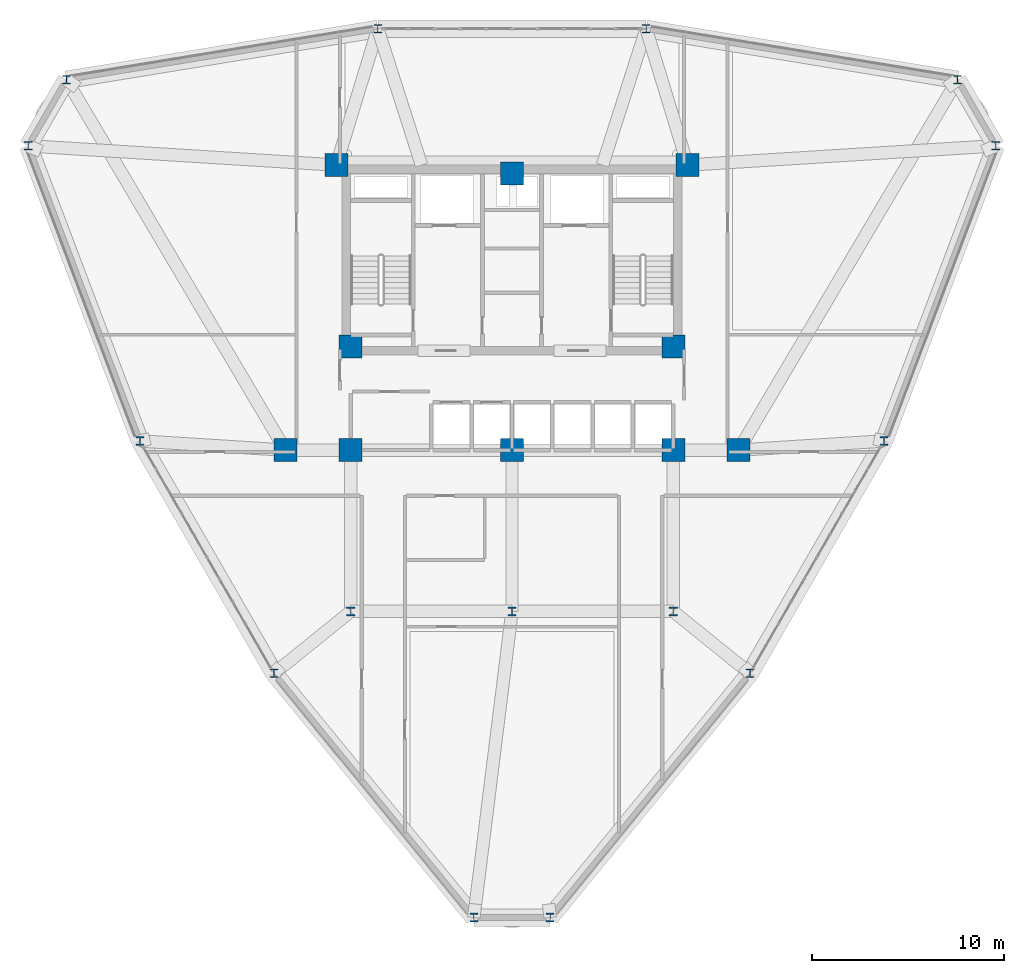
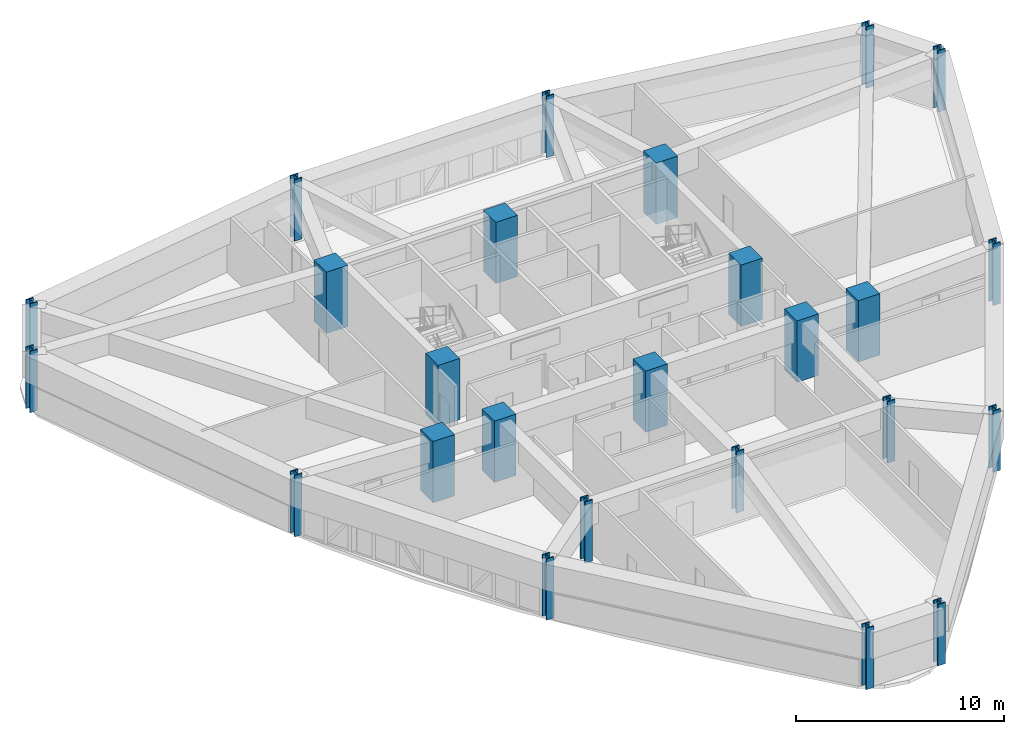
# One storey, part 1 of 15: 25 columns.
"""IFC4 building model written with IfcOpenShell, lengths in metres."""

from ifc_helpers import new_model, si_unit, derived_unit, direction, frame, origin, origin_2d, place, context, subcontext, project, spatial, rectangle, i_section, extrude, source, transform, mapped, material, material_profile, profile_set, type_object, element, save


model = new_model("IFC4")

# Units and contexts
model_context = context("Model", 3, precision=1e-05, world=origin(), true_north=direction((0.0, 1.0)))
body_context = subcontext(model_context, "Body", "Model", "MODEL_VIEW")
ifc_project = project(units=[si_unit("LENGTHUNIT", "METRE"), si_unit("AREAUNIT", "SQUARE_METRE"), si_unit("VOLUMEUNIT", "CUBIC_METRE"), si_unit("PLANEANGLEUNIT", "RADIAN"), si_unit("MASSUNIT", "GRAM", prefix="KILO"), derived_unit("THERMALTRANSMITTANCEUNIT", [(si_unit("POWERUNIT", "WATT"), 1), (si_unit("LENGTHUNIT", "METRE"), -2), (si_unit("THERMODYNAMICTEMPERATUREUNIT", "KELVIN"), -1)])], contexts=[model_context])

# Site, building, storey
site_placement = place(None, origin())
site = spatial("IfcSite", under=ifc_project, at=site_placement, CompositionType="ELEMENT")
building_placement = place(site_placement, origin())
building = spatial("IfcBuilding", under=site, at=building_placement, Name="Korsvarv Bourse and Concert Hall", CompositionType="ELEMENT")
storey_placement = place(building_placement, frame((0.0, 0.0, 117.0)))
storey = spatial("IfcBuildingStorey", under=building, at=storey_placement, Name="L29", CompositionType="ELEMENT", Elevation=117.0)

# Columns
ifc_material_1 = material(Name="Concrete C60/75", Category="concrete")
ifc_material_profile_1 = material_profile(ifc_material_1, rectangle(XDim=1.199951171875, YDim=1.199951171875, at=origin_2d()), Name="RC 1200x1200")
ifc_profile_set_1 = profile_set([ifc_material_profile_1], Name="Concrete C60/75")
column_type_1 = type_object("IfcColumnType", Name="COL-RC1200", PredefinedType="COLUMN", material=ifc_profile_set_1)
shared_shape_1 = source(origin(), body_context, "Body", "SweptSolid", [
    extrude(rectangle(XDim=1.199951171875, YDim=1.199951171875, at=origin_2d()), origin(), (0.0, 0.0, 1.0), 3.60009765625),
])
for number, where, z_axis, x_axis, name in (
    (1, (26.85009765625, 47.25, 0.0), (0.0, 0.0, 1.0), (1.0, 0.0, 0.0), "L29 column C-02"),
    (2, (45.14990234375, 47.25, 0.0), (0.0, 0.0, 1.0), (1.0, 0.0, 0.0), "L29 column C-02"),
    (3, (27.60009765625, 37.800048828125, 0.0), (0.0, 0.0, 1.0), (1.0, 0.0, 0.0), "L29 column C-02"),
    (4, (44.39990234375, 37.800048828125, 0.0), (0.0, 0.0, 1.0), (1.0, 0.0, 0.0), "L29 column C-02"),
    (5, (27.60009765625, 32.39990234375, 0.0), (0.0, 0.0, 1.0), (1.0, 0.0, 0.0), "L29 column C-02"),
    (6, (44.39990234375, 32.39990234375, 0.0), (0.0, 0.0, 1.0), (1.0, 0.0, 0.0), "L29 column C-02"),
    (7, (36.0, 46.800048828125, 0.0), (0.0, 0.0, 1.0), (1.0, 0.0, 0.0), "L29 column C-02"),
    (8, (36.0, 32.39990234375, 0.0), (0.0, 0.0, 1.0), (1.0, 0.0, 0.0), "L29 column C-02"),
    (9, (24.199951171875, 32.39990234375, 0.0), (0.0, 0.0, 1.0), (1.0, 0.0, 0.0), "L29 column C-02"),
    (10, (47.800048828125, 32.39990234375, 0.0), (0.0, 0.0, 1.0), (1.0, 0.0, 0.0), "L29 column C-02"),
):
    element("IfcColumn", number, at=place(storey_placement, frame(where, z_axis=z_axis, x_axis=x_axis)), inside=storey, type_object=column_type_1, Name=name, PredefinedType="COLUMN", context=body_context, shape_type="MappedRepresentation", body=[
        mapped(shared_shape_1, transform((0.0, 0.0, 0.0), scale=1.0)),
    ])
ifc_material_2 = material(Name="Steel S460", Category="steel")
ifc_material_profile_2 = material_profile(ifc_material_2, i_section(OverallWidth=0.424072265625, OverallDepth=0.47412109375, WebThickness=0.044921875, FlangeThickness=0.072021484375, FilletRadius=0.014892578125, at=origin_2d()), Name="HD 400x634")
ifc_profile_set_2 = profile_set([ifc_material_profile_2], Name="Steel S460")
column_type_2 = type_object("IfcColumnType", Name="COL-HD634", PredefinedType="COLUMN", material=ifc_profile_set_2)
shared_shape_2 = source(origin(), body_context, "Body", "SweptSolid", [
    extrude(i_section(OverallWidth=0.424072265625, OverallDepth=0.47412109375, WebThickness=0.044921875, FlangeThickness=0.072021484375, FilletRadius=0.014892578125, at=origin_2d()), origin(), (0.0, 0.0, 1.0), 3.60009765625),
])
for number, where, z_axis, x_axis, name in (
    (11, (27.60009765625, 24.0, 0.0), (0.0, 0.0, 1.0), (1.0, 0.0, 0.0), "L29 column C-07"),
    (12, (44.39990234375, 24.0, 0.0), (0.0, 0.0, 1.0), (1.0, 0.0, 0.0), "L29 column C-07"),
    (13, (36.0, 24.0, 0.0), (0.0, 0.0, 1.0), (1.0, 0.0, 0.0), "L29 column C-07"),
):
    element("IfcColumn", number, at=place(storey_placement, frame(where, z_axis=z_axis, x_axis=x_axis)), inside=storey, type_object=column_type_2, Name=name, PredefinedType="COLUMN", context=body_context, shape_type="MappedRepresentation", body=[
        mapped(shared_shape_2, transform((0.0, 0.0, 0.0), scale=1.0)),
    ])
ifc_material_profile_3 = material_profile(ifc_material_2, i_section(OverallWidth=0.41796875, OverallDepth=0.455078125, WebThickness=0.0390625, FlangeThickness=0.06298828125, FilletRadius=0.014892578125, at=origin_2d()), Name="HD 400x551")
ifc_profile_set_3 = profile_set([ifc_material_profile_3], Name="Steel S460")
column_type_3 = type_object("IfcColumnType", Name="COL-HD551", PredefinedType="COLUMN", material=ifc_profile_set_3)
shared_shape_3 = source(origin(), body_context, "Body", "SweptSolid", [
    extrude(i_section(OverallWidth=0.41796875, OverallDepth=0.455078125, WebThickness=0.0390625, FlangeThickness=0.06298828125, FilletRadius=0.014892578125, at=origin_2d()), origin(), (0.0, 0.0, 1.0), 3.60009765625),
])
for number, where, z_axis, x_axis, name in (
    (14, (61.19482421875, 48.25146484375, 0.0), (0.0, 0.0, 1.0), (1.0, 0.0, 0.0), "L29 column C-08"),
    (15, (59.20751953125, 51.693603515625, 0.0), (0.0, 0.0, 1.0), (1.0, 0.0, 0.0), "L29 column C-08"),
    (16, (42.988037109375, 54.344482421875, 0.0), (0.0, 0.0, 1.0), (1.0, 0.0, 0.0), "L29 column C-08"),
    (17, (29.011962890625, 54.344482421875, 0.0), (0.0, 0.0, 1.0), (1.0, 0.0, 0.0), "L29 column C-08"),
    (18, (12.79248046875, 51.693603515625, 0.0), (0.0, 0.0, 1.0), (1.0, 0.0, 0.0), "L29 column C-08"),
    (19, (10.80517578125, 48.25146484375, 0.0), (0.0, 0.0, 1.0), (1.0, 0.0, 0.0), "L29 column C-08"),
    (20, (16.619140625, 32.87939453125, 0.0), (0.0, 0.0, 1.0), (1.0, 0.0, 0.0), "L29 column C-08"),
    (21, (23.607177734375, 20.77587890625, 0.0), (0.0, 0.0, 1.0), (1.0, 0.0, 0.0), "L29 column C-08"),
    (22, (34.0126953125, 8.054931640625, 0.0), (0.0, 0.0, 1.0), (1.0, 0.0, 0.0), "L29 column C-08"),
    (23, (37.9873046875, 8.054931640625, 0.0), (0.0, 0.0, 1.0), (1.0, 0.0, 0.0), "L29 column C-08"),
    (24, (48.392822265625, 20.77587890625, 0.0), (0.0, 0.0, 1.0), (1.0, 0.0, 0.0), "L29 column C-08"),
    (25, (55.380859375, 32.87939453125, 0.0), (0.0, 0.0, 1.0), (1.0, 0.0, 0.0), "L29 column C-08"),
):
    element("IfcColumn", number, at=place(storey_placement, frame(where, z_axis=z_axis, x_axis=x_axis)), inside=storey, type_object=column_type_3, Name=name, PredefinedType="COLUMN", context=body_context, shape_type="MappedRepresentation", body=[
        mapped(shared_shape_3, transform((0.0, 0.0, 0.0), scale=1.0)),
    ])

save(model, "model.ifc")
